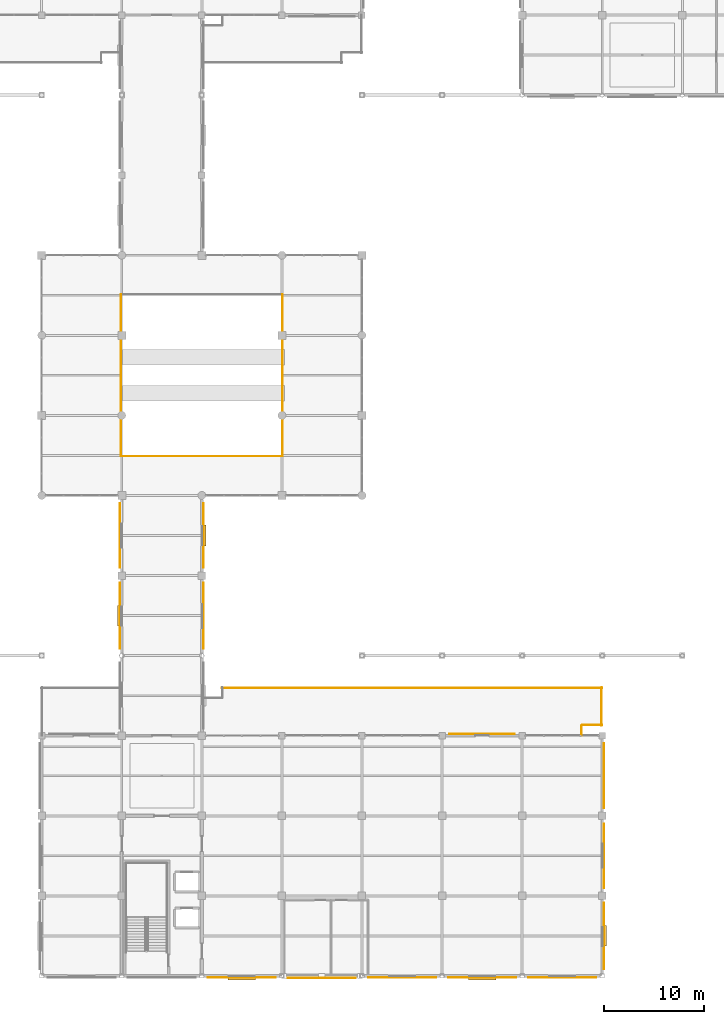
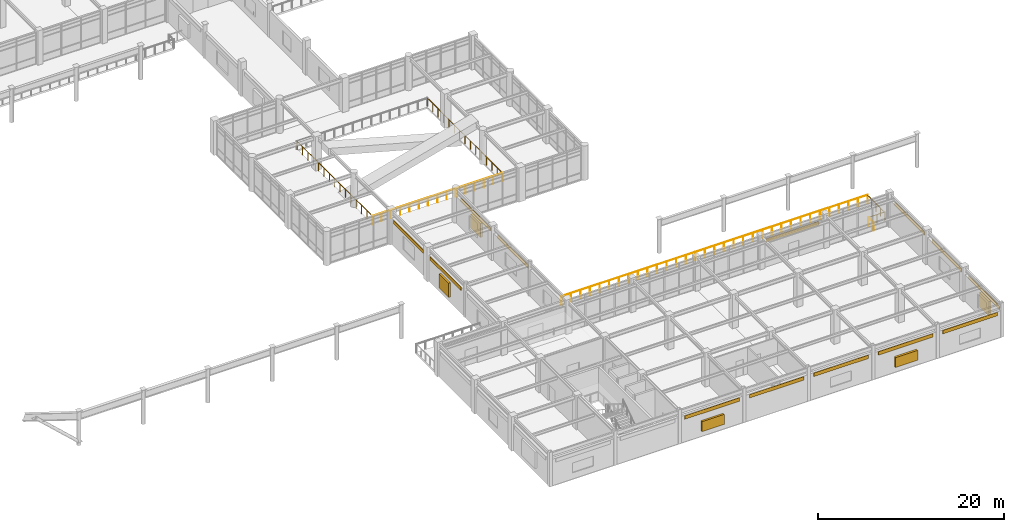
# One storey, part 73 of 78: 13 coverings, 7 railings, 5 shading devices.
"""IFC4 building model written with IfcOpenShell, lengths in metres."""

from ifc_helpers import new_model, si_unit, direction, frame, origin, origin_2d, place, context, subcontext, project, spatial, rectangle, circle, extrude, material, layer, layer_set, type_object, element, save


model = new_model("IFC4")

# Units and contexts
model_context = context("Model", 3, precision=1e-05, world=origin(), true_north=direction((0.0, 1.0)))
body_context = subcontext(model_context, "Body", "Model", "MODEL_VIEW")
ifc_project = project(units=[si_unit("LENGTHUNIT", "METRE"), si_unit("AREAUNIT", "SQUARE_METRE"), si_unit("VOLUMEUNIT", "CUBIC_METRE"), si_unit("PLANEANGLEUNIT", "RADIAN"), si_unit("MASSUNIT", "GRAM", prefix="KILO")], contexts=[model_context])

# Site, building, storey
site_placement = place(None, origin())
site = spatial("IfcSite", under=ifc_project, at=site_placement, CompositionType="ELEMENT")
building_placement = place(site_placement, origin())
building = spatial("IfcBuilding", under=site, at=building_placement, Name="Solmirada Galleria", CompositionType="ELEMENT")
storey_placement = place(building_placement, frame((0.0, 0.0, 23.89990234375)))
storey = spatial("IfcBuildingStorey", under=building, at=storey_placement, Name="L05", CompositionType="ELEMENT", Elevation=23.89990234375)

# Coverings
ifc_material_1 = material(Name="Limestone cladding panels", Category="masonry")
ifc_layer_1 = layer(ifc_material_1, 0.044921875)
ifc_layer_set_1 = layer_set([ifc_layer_1], Name="Limestone cladding panels")
covering_type_1 = type_object("IfcCoveringType", Name="COV-CLAD-LIME", PredefinedType="CLADDING", material=ifc_layer_set_1)
for number, where, z_axis, x_axis, name in (
    (1, (87.83251953125, 36.0, 2.990234375), (0.0, 0.0, 1.0), (0.0, 1.0, 0.0), "Postmodern facade cladding L05-310"),
    (2, (96.16748046875, 36.0, 2.990234375), (0.0, 0.0, 1.0), (0.0, -1.0, 0.0), "Postmodern facade cladding L05-336"),
):
    element("IfcCovering", number, at=place(storey_placement, frame(where, z_axis=z_axis, x_axis=x_axis)), inside=storey, type_object=covering_type_1, Name=name, PredefinedType="CLADDING", context=body_context, shape_type="SweptSolid", body=[
        extrude(rectangle(XDim=6.596435546875, YDim=0.044921875, at=origin_2d()), origin(), (0.0, 0.0, 1.0), 0.4599609375),
    ])
covering_1_placement = place(storey_placement, frame((136.16748046875, 12.0, 2.990234375), z_axis=(0.0, 0.0, 1.0), x_axis=(0.0, -1.0, 0.0)))
element("IfcCovering", 3, at=covering_1_placement, inside=storey, type_object=covering_type_1, Name="Postmodern facade cladding L05-340", PredefinedType="CLADDING", context=body_context, shape_type="SweptSolid", body=[
    extrude(rectangle(XDim=6.449951171875, YDim=0.044921875, at=origin_2d()), origin(), (0.0, 0.0, 1.0), 0.4599609375),
])
for number, where, z_axis, x_axis, name in (
    (4, (132.0, -0.16748046875, 2.990234375), (0.0, 0.0, 1.0), (-1.0, 0.0, 0.0), "Postmodern facade cladding L05-342"),
    (5, (116.0, -0.16748046875, 2.990234375), (0.0, 0.0, 1.0), (-1.0, 0.0, 0.0), "Postmodern facade cladding L05-344"),
    (6, (100.0, -0.16748046875, 2.990234375), (0.0, 0.0, 1.0), (-1.0, 0.0, 0.0), "Postmodern facade cladding L05-346"),
):
    element("IfcCovering", number, at=place(storey_placement, frame(where, z_axis=z_axis, x_axis=x_axis)), inside=storey, type_object=covering_type_1, Name=name, PredefinedType="CLADDING", context=body_context, shape_type="SweptSolid", body=[
        extrude(rectangle(XDim=6.7939453125, YDim=0.044921875, at=origin_2d()), origin(), (0.0, 0.0, 1.0), 0.4599609375),
    ])
ifc_material_2 = material(Name="Glazed terracotta facade panels", Category="masonry")
ifc_layer_2 = layer(ifc_material_2, 0.0400390625)
ifc_layer_set_2 = layer_set([ifc_layer_2], Name="Glazed terracotta facade panels")
covering_type_2 = type_object("IfcCoveringType", Name="COV-CLAD-TERRA", PredefinedType="CLADDING", material=ifc_layer_set_2)
for number, where, z_axis, x_axis, name in (
    (7, (87.8349609375, 44.0, 2.990234375), (0.0, 0.0, 1.0), (0.0, 1.0, 0.0), "Postmodern facade cladding L05-311"),
    (8, (96.1650390625, 44.0, 2.990234375), (0.0, 0.0, 1.0), (0.0, -1.0, 0.0), "Postmodern facade cladding L05-335"),
):
    element("IfcCovering", number, at=place(storey_placement, frame(where, z_axis=z_axis, x_axis=x_axis)), inside=storey, type_object=covering_type_2, Name=name, PredefinedType="CLADDING", context=body_context, shape_type="SweptSolid", body=[
        extrude(rectangle(XDim=6.425048828125, YDim=0.0400390625, at=origin_2d()), origin(), (0.0, 0.0, 1.0), 0.4599609375),
    ])
covering_2_placement = place(storey_placement, frame((124.0, 24.1650390625, 2.990234375), z_axis=(0.0, 0.0, 1.0), x_axis=(1.0, 0.0, 0.0)))
element("IfcCovering", 9, at=covering_2_placement, inside=storey, type_object=covering_type_2, Name="Postmodern facade cladding L05-338", PredefinedType="CLADDING", context=body_context, shape_type="SweptSolid", body=[
    extrude(rectangle(XDim=6.550048828125, YDim=0.0400390625, at=origin_2d()), origin(), (0.0, 0.0, 1.0), 0.4599609375),
])
covering_3_placement = place(storey_placement, frame((136.1650390625, 20.0, 2.990234375), z_axis=(0.0, 0.0, 1.0), x_axis=(0.0, -1.0, 0.0)))
element("IfcCovering", 10, at=covering_3_placement, inside=storey, type_object=covering_type_2, Name="Postmodern facade cladding L05-339", PredefinedType="CLADDING", context=body_context, shape_type="SweptSolid", body=[
    extrude(rectangle(XDim=6.5, YDim=0.0400390625, at=origin_2d()), origin(), (0.0, 0.0, 1.0), 0.4599609375),
])
covering_4_placement = place(storey_placement, frame((136.1650390625, 4.0, 2.990234375), z_axis=(0.0, 0.0, 1.0), x_axis=(0.0, -1.0, 0.0)))
element("IfcCovering", 11, at=covering_4_placement, inside=storey, type_object=covering_type_2, Name="Postmodern facade cladding L05-341", PredefinedType="CLADDING", context=body_context, shape_type="SweptSolid", body=[
    extrude(rectangle(XDim=6.6220703125, YDim=0.0400390625, at=origin_2d()), origin(), (0.0, 0.0, 1.0), 0.4599609375),
])
for number, where, z_axis, x_axis, name in (
    (12, (124.0, -0.1650390625, 2.990234375), (0.0, 0.0, 1.0), (-1.0, 0.0, 0.0), "Postmodern facade cladding L05-343"),
    (13, (108.0, -0.199951171875, 2.990234375), (0.0, 0.0, 1.0), (-1.0, 0.0, 0.0), "Postmodern facade cladding L05-345"),
):
    element("IfcCovering", number, at=place(storey_placement, frame(where, z_axis=z_axis, x_axis=x_axis)), inside=storey, type_object=covering_type_2, Name=name, PredefinedType="CLADDING", context=body_context, shape_type="SweptSolid", body=[
        extrude(rectangle(XDim=6.7939453125, YDim=0.0400390625, at=origin_2d()), origin(), (0.0, 0.0, 1.0), 0.4599609375),
    ])

# Railings
ifc_material_3 = material(Name="Tempered laminated glass and stainless-steel balustrade", Category="steel")
railing_type_1 = type_object("IfcRailingType", Name="RAIL-ATRIUM-BAL", PredefinedType="BALUSTRADE", material=ifc_material_3)
railing_1_placement = place(storey_placement, frame((87.919921875, 51.919921875, 0.0)))
element("IfcRailing", 14, at=railing_1_placement, inside=storey, type_object=railing_type_1, Name="Void balustrade ATRIUM L05-W1", PredefinedType="BALUSTRADE", context=body_context, shape_type="SweptSolid", body=[
    extrude(circle(Radius=0.02392578125, at=origin_2d()), frame((0.0, 0.0, 1.09619140625), z_axis=(0.0, 1.0, 0.0), x_axis=(-1.0, 0.0, 0.0)), (0.0, 0.0, 1.0), 16.16015625),
    extrude(circle(Radius=0.02099609375, at=origin_2d()), origin(), (0.0, 0.0, 1.0), 1.068115234375),
    extrude(circle(Radius=0.02099609375, at=origin_2d()), frame((0.0, 1.154296875, 0.0)), (0.0, 0.0, 1.0), 1.068115234375),
    extrude(circle(Radius=0.02099609375, at=origin_2d()), frame((0.0, 2.30859375, 0.0)), (0.0, 0.0, 1.0), 1.068115234375),
    extrude(circle(Radius=0.02099609375, at=origin_2d()), frame((0.0, 3.462890625, 0.0)), (0.0, 0.0, 1.0), 1.068115234375),
    extrude(circle(Radius=0.02099609375, at=origin_2d()), frame((0.0, 4.6171875, 0.0)), (0.0, 0.0, 1.0), 1.068115234375),
    extrude(circle(Radius=0.02099609375, at=origin_2d()), frame((0.0, 5.771484375, 0.0)), (0.0, 0.0, 1.0), 1.068115234375),
    extrude(circle(Radius=0.02099609375, at=origin_2d()), frame((0.0, 6.92578125, 0.0)), (0.0, 0.0, 1.0), 1.068115234375),
    extrude(circle(Radius=0.02099609375, at=origin_2d()), frame((0.0, 8.080078125, 0.0)), (0.0, 0.0, 1.0), 1.068115234375),
    extrude(circle(Radius=0.02099609375, at=origin_2d()), frame((0.0, 9.234375, 0.0)), (0.0, 0.0, 1.0), 1.068115234375),
    extrude(circle(Radius=0.02099609375, at=origin_2d()), frame((0.0, 10.388671875, 0.0)), (0.0, 0.0, 1.0), 1.068115234375),
    extrude(circle(Radius=0.02099609375, at=origin_2d()), frame((0.0, 11.54296875, 0.0)), (0.0, 0.0, 1.0), 1.068115234375),
    extrude(circle(Radius=0.02099609375, at=origin_2d()), frame((0.0, 12.697265625, 0.0)), (0.0, 0.0, 1.0), 1.068115234375),
    extrude(circle(Radius=0.02099609375, at=origin_2d()), frame((0.0, 13.8515625, 0.0)), (0.0, 0.0, 1.0), 1.068115234375),
    extrude(circle(Radius=0.02099609375, at=origin_2d()), frame((0.0, 15.005859375, 0.0)), (0.0, 0.0, 1.0), 1.068115234375),
    extrude(circle(Radius=0.02099609375, at=origin_2d()), frame((0.0, 16.16015625, 0.0)), (0.0, 0.0, 1.0), 1.068115234375),
])
railing_2_placement = place(storey_placement, frame((104.080078125, 51.919921875, 0.0)))
element("IfcRailing", 15, at=railing_2_placement, inside=storey, type_object=railing_type_1, Name="Void balustrade ATRIUM L05-E1", PredefinedType="BALUSTRADE", context=body_context, shape_type="SweptSolid", body=[
    extrude(circle(Radius=0.02392578125, at=origin_2d()), frame((0.0, 0.0, 1.09619140625), z_axis=(0.0, 1.0, 0.0), x_axis=(-1.0, 0.0, 0.0)), (0.0, 0.0, 1.0), 16.16015625),
    extrude(circle(Radius=0.02099609375, at=origin_2d()), origin(), (0.0, 0.0, 1.0), 1.068115234375),
    extrude(circle(Radius=0.02099609375, at=origin_2d()), frame((0.0, 1.154296875, 0.0)), (0.0, 0.0, 1.0), 1.068115234375),
    extrude(circle(Radius=0.02099609375, at=origin_2d()), frame((0.0, 2.30859375, 0.0)), (0.0, 0.0, 1.0), 1.068115234375),
    extrude(circle(Radius=0.02099609375, at=origin_2d()), frame((0.0, 3.462890625, 0.0)), (0.0, 0.0, 1.0), 1.068115234375),
    extrude(circle(Radius=0.02099609375, at=origin_2d()), frame((0.0, 4.6171875, 0.0)), (0.0, 0.0, 1.0), 1.068115234375),
    extrude(circle(Radius=0.02099609375, at=origin_2d()), frame((0.0, 5.771484375, 0.0)), (0.0, 0.0, 1.0), 1.068115234375),
    extrude(circle(Radius=0.02099609375, at=origin_2d()), frame((0.0, 6.92578125, 0.0)), (0.0, 0.0, 1.0), 1.068115234375),
    extrude(circle(Radius=0.02099609375, at=origin_2d()), frame((0.0, 8.080078125, 0.0)), (0.0, 0.0, 1.0), 1.068115234375),
    extrude(circle(Radius=0.02099609375, at=origin_2d()), frame((0.0, 9.234375, 0.0)), (0.0, 0.0, 1.0), 1.068115234375),
    extrude(circle(Radius=0.02099609375, at=origin_2d()), frame((0.0, 10.388671875, 0.0)), (0.0, 0.0, 1.0), 1.068115234375),
    extrude(circle(Radius=0.02099609375, at=origin_2d()), frame((0.0, 11.54296875, 0.0)), (0.0, 0.0, 1.0), 1.068115234375),
    extrude(circle(Radius=0.02099609375, at=origin_2d()), frame((0.0, 12.697265625, 0.0)), (0.0, 0.0, 1.0), 1.068115234375),
    extrude(circle(Radius=0.02099609375, at=origin_2d()), frame((0.0, 13.8515625, 0.0)), (0.0, 0.0, 1.0), 1.068115234375),
    extrude(circle(Radius=0.02099609375, at=origin_2d()), frame((0.0, 15.005859375, 0.0)), (0.0, 0.0, 1.0), 1.068115234375),
    extrude(circle(Radius=0.02099609375, at=origin_2d()), frame((0.0, 16.16015625, 0.0)), (0.0, 0.0, 1.0), 1.068115234375),
])
railing_3_placement = place(storey_placement, frame((87.919921875, 51.919921875, 0.0)))
element("IfcRailing", 16, at=railing_3_placement, inside=storey, type_object=railing_type_1, Name="Void balustrade ATRIUM L05-S", PredefinedType="BALUSTRADE", context=body_context, shape_type="SweptSolid", body=[
    extrude(circle(Radius=0.02392578125, at=origin_2d()), frame((0.0, 0.0, 1.09619140625), z_axis=(1.0, 0.0, 0.0), x_axis=(0.0, 1.0, 0.0)), (0.0, 0.0, 1.0), 16.16015625),
    extrude(circle(Radius=0.02099609375, at=origin_2d()), origin(), (0.0, 0.0, 1.0), 1.068115234375),
    extrude(circle(Radius=0.02099609375, at=origin_2d()), frame((1.154296875, 0.0, 0.0)), (0.0, 0.0, 1.0), 1.068115234375),
    extrude(circle(Radius=0.02099609375, at=origin_2d()), frame((2.30859375, 0.0, 0.0)), (0.0, 0.0, 1.0), 1.068115234375),
    extrude(circle(Radius=0.02099609375, at=origin_2d()), frame((3.462890625, 0.0, 0.0)), (0.0, 0.0, 1.0), 1.068115234375),
    extrude(circle(Radius=0.02099609375, at=origin_2d()), frame((4.6171875, 0.0, 0.0)), (0.0, 0.0, 1.0), 1.068115234375),
    extrude(circle(Radius=0.02099609375, at=origin_2d()), frame((5.771484375, 0.0, 0.0)), (0.0, 0.0, 1.0), 1.068115234375),
    extrude(circle(Radius=0.02099609375, at=origin_2d()), frame((6.92578125, 0.0, 0.0)), (0.0, 0.0, 1.0), 1.068115234375),
    extrude(circle(Radius=0.02099609375, at=origin_2d()), frame((8.080078125, 0.0, 0.0)), (0.0, 0.0, 1.0), 1.068115234375),
    extrude(circle(Radius=0.02099609375, at=origin_2d()), frame((9.234375, 0.0, 0.0)), (0.0, 0.0, 1.0), 1.068115234375),
    extrude(circle(Radius=0.02099609375, at=origin_2d()), frame((10.388671875, 0.0, 0.0)), (0.0, 0.0, 1.0), 1.068115234375),
    extrude(circle(Radius=0.02099609375, at=origin_2d()), frame((11.54296875, 0.0, 0.0)), (0.0, 0.0, 1.0), 1.068115234375),
    extrude(circle(Radius=0.02099609375, at=origin_2d()), frame((12.697265625, 0.0, 0.0)), (0.0, 0.0, 1.0), 1.068115234375),
    extrude(circle(Radius=0.02099609375, at=origin_2d()), frame((13.8515625, 0.0, 0.0)), (0.0, 0.0, 1.0), 1.068115234375),
    extrude(circle(Radius=0.02099609375, at=origin_2d()), frame((15.005859375, 0.0, 0.0)), (0.0, 0.0, 1.0), 1.068115234375),
    extrude(circle(Radius=0.02099609375, at=origin_2d()), frame((16.16015625, 0.0, 0.0)), (0.0, 0.0, 1.0), 1.068115234375),
])
ifc_material_4 = material(Name="Painted galvanized steel balustrade", Category="steel")
railing_type_2 = type_object("IfcRailingType", Name="RAIL-TERR-1100", PredefinedType="GUARDRAIL", material=ifc_material_4)
railing_4_placement = place(storey_placement, frame((133.949951171875, 24.0, 0.0)))
element("IfcRailing", 17, at=railing_4_placement, inside=storey, type_object=railing_type_2, Name="Terrace guardrail L05-TERR-SE E2.1", PredefinedType="GUARDRAIL", context=body_context, shape_type="SweptSolid", body=[
    extrude(circle(Radius=0.02392578125, at=origin_2d()), frame((0.0, 0.0, 1.09619140625), z_axis=(0.0, 1.0, 0.0), x_axis=(-1.0, 0.0, 0.0)), (0.0, 0.0, 1.0), 1.0),
    extrude(circle(Radius=0.02099609375, at=origin_2d()), origin(), (0.0, 0.0, 1.0), 1.068115234375),
    extrude(circle(Radius=0.02099609375, at=origin_2d()), frame((0.0, 1.0, 0.0)), (0.0, 0.0, 1.0), 1.068115234375),
])
railing_5_placement = place(storey_placement, frame((134.0, 25.050048828125, 0.0)))
element("IfcRailing", 18, at=railing_5_placement, inside=storey, type_object=railing_type_2, Name="Terrace guardrail L05-TERR-SE E3.1", PredefinedType="GUARDRAIL", context=body_context, shape_type="SweptSolid", body=[
    extrude(circle(Radius=0.02392578125, at=origin_2d()), frame((0.0, 0.0, 1.09619140625), z_axis=(1.0, 0.0, 0.0), x_axis=(0.0, 1.0, 0.0)), (0.0, 0.0, 1.0), 2.0),
    extrude(circle(Radius=0.02099609375, at=origin_2d()), origin(), (0.0, 0.0, 1.0), 1.068115234375),
    extrude(circle(Radius=0.02099609375, at=origin_2d()), frame((1.0, 0.0, 0.0)), (0.0, 0.0, 1.0), 1.068115234375),
    extrude(circle(Radius=0.02099609375, at=origin_2d()), frame((2.0, 0.0, 0.0)), (0.0, 0.0, 1.0), 1.068115234375),
])
railing_6_placement = place(storey_placement, frame((135.949951171875, 25.0, 0.0)))
element("IfcRailing", 19, at=railing_6_placement, inside=storey, type_object=railing_type_2, Name="Terrace guardrail L05-TERR-SE E4.1", PredefinedType="GUARDRAIL", context=body_context, shape_type="SweptSolid", body=[
    extrude(circle(Radius=0.02392578125, at=origin_2d()), frame((0.0, 0.0, 1.09619140625), z_axis=(0.0, 1.0, 0.0), x_axis=(-1.0, 0.0, 0.0)), (0.0, 0.0, 1.0), 3.800048828125),
    extrude(circle(Radius=0.02099609375, at=origin_2d()), origin(), (0.0, 0.0, 1.0), 1.068115234375),
    extrude(circle(Radius=0.02099609375, at=origin_2d()), frame((0.0, 0.949951171875, 0.0)), (0.0, 0.0, 1.0), 1.068115234375),
    extrude(circle(Radius=0.02099609375, at=origin_2d()), frame((0.0, 1.89990234375, 0.0)), (0.0, 0.0, 1.0), 1.068115234375),
    extrude(circle(Radius=0.02099609375, at=origin_2d()), frame((0.0, 2.85009765625, 0.0)), (0.0, 0.0, 1.0), 1.068115234375),
    extrude(circle(Radius=0.02099609375, at=origin_2d()), frame((0.0, 3.800048828125, 0.0)), (0.0, 0.0, 1.0), 1.068115234375),
])
railing_7_placement = place(storey_placement, frame((136.0, 28.75, 0.0)))
element("IfcRailing", 20, at=railing_7_placement, inside=storey, type_object=railing_type_2, Name="Terrace guardrail L05-TERR-SE E5.1", PredefinedType="GUARDRAIL", context=body_context, shape_type="SweptSolid", body=[
    extrude(circle(Radius=0.02392578125, at=origin_2d()), frame((0.0, 0.0, 1.09619140625), z_axis=(-1.0, 0.0, 0.0), x_axis=(0.0, -1.0, 0.0)), (0.0, 0.0, 1.0), 38.0),
    extrude(circle(Radius=0.02099609375, at=origin_2d()), origin(), (0.0, 0.0, 1.0), 1.068115234375),
    extrude(circle(Radius=0.02099609375, at=origin_2d()), frame((-1.1875, 0.0, 0.0)), (0.0, 0.0, 1.0), 1.068115234375),
    extrude(circle(Radius=0.02099609375, at=origin_2d()), frame((-2.375, 0.0, 0.0)), (0.0, 0.0, 1.0), 1.068115234375),
    extrude(circle(Radius=0.02099609375, at=origin_2d()), frame((-3.5625, 0.0, 0.0)), (0.0, 0.0, 1.0), 1.068115234375),
    extrude(circle(Radius=0.02099609375, at=origin_2d()), frame((-4.75, 0.0, 0.0)), (0.0, 0.0, 1.0), 1.068115234375),
    extrude(circle(Radius=0.02099609375, at=origin_2d()), frame((-5.9375, 0.0, 0.0)), (0.0, 0.0, 1.0), 1.068115234375),
    extrude(circle(Radius=0.02099609375, at=origin_2d()), frame((-7.125, 0.0, 0.0)), (0.0, 0.0, 1.0), 1.068115234375),
    extrude(circle(Radius=0.02099609375, at=origin_2d()), frame((-8.3125, 0.0, 0.0)), (0.0, 0.0, 1.0), 1.068115234375),
    extrude(circle(Radius=0.02099609375, at=origin_2d()), frame((-9.5, 0.0, 0.0)), (0.0, 0.0, 1.0), 1.068115234375),
    extrude(circle(Radius=0.02099609375, at=origin_2d()), frame((-10.6875, 0.0, 0.0)), (0.0, 0.0, 1.0), 1.068115234375),
    extrude(circle(Radius=0.02099609375, at=origin_2d()), frame((-11.875, 0.0, 0.0)), (0.0, 0.0, 1.0), 1.068115234375),
    extrude(circle(Radius=0.02099609375, at=origin_2d()), frame((-13.0625, 0.0, 0.0)), (0.0, 0.0, 1.0), 1.068115234375),
    extrude(circle(Radius=0.02099609375, at=origin_2d()), frame((-14.25, 0.0, 0.0)), (0.0, 0.0, 1.0), 1.068115234375),
    extrude(circle(Radius=0.02099609375, at=origin_2d()), frame((-15.4375, 0.0, 0.0)), (0.0, 0.0, 1.0), 1.068115234375),
    extrude(circle(Radius=0.02099609375, at=origin_2d()), frame((-16.625, 0.0, 0.0)), (0.0, 0.0, 1.0), 1.068115234375),
    extrude(circle(Radius=0.02099609375, at=origin_2d()), frame((-17.8125, 0.0, 0.0)), (0.0, 0.0, 1.0), 1.068115234375),
    extrude(circle(Radius=0.02099609375, at=origin_2d()), frame((-19.0, 0.0, 0.0)), (0.0, 0.0, 1.0), 1.068115234375),
    extrude(circle(Radius=0.02099609375, at=origin_2d()), frame((-20.1875, 0.0, 0.0)), (0.0, 0.0, 1.0), 1.068115234375),
    extrude(circle(Radius=0.02099609375, at=origin_2d()), frame((-21.375, 0.0, 0.0)), (0.0, 0.0, 1.0), 1.068115234375),
    extrude(circle(Radius=0.02099609375, at=origin_2d()), frame((-22.5625, 0.0, 0.0)), (0.0, 0.0, 1.0), 1.068115234375),
    extrude(circle(Radius=0.02099609375, at=origin_2d()), frame((-23.75, 0.0, 0.0)), (0.0, 0.0, 1.0), 1.068115234375),
    extrude(circle(Radius=0.02099609375, at=origin_2d()), frame((-24.9375, 0.0, 0.0)), (0.0, 0.0, 1.0), 1.068115234375),
    extrude(circle(Radius=0.02099609375, at=origin_2d()), frame((-26.125, 0.0, 0.0)), (0.0, 0.0, 1.0), 1.068115234375),
    extrude(circle(Radius=0.02099609375, at=origin_2d()), frame((-27.3125, 0.0, 0.0)), (0.0, 0.0, 1.0), 1.068115234375),
    extrude(circle(Radius=0.02099609375, at=origin_2d()), frame((-28.5, 0.0, 0.0)), (0.0, 0.0, 1.0), 1.068115234375),
    extrude(circle(Radius=0.02099609375, at=origin_2d()), frame((-29.6875, 0.0, 0.0)), (0.0, 0.0, 1.0), 1.068115234375),
    extrude(circle(Radius=0.02099609375, at=origin_2d()), frame((-30.875, 0.0, 0.0)), (0.0, 0.0, 1.0), 1.068115234375),
    extrude(circle(Radius=0.02099609375, at=origin_2d()), frame((-32.0625, 0.0, 0.0)), (0.0, 0.0, 1.0), 1.068115234375),
    extrude(circle(Radius=0.02099609375, at=origin_2d()), frame((-33.25, 0.0, 0.0)), (0.0, 0.0, 1.0), 1.068115234375),
    extrude(circle(Radius=0.02099609375, at=origin_2d()), frame((-34.4375, 0.0, 0.0)), (0.0, 0.0, 1.0), 1.068115234375),
    extrude(circle(Radius=0.02099609375, at=origin_2d()), frame((-35.625, 0.0, 0.0)), (0.0, 0.0, 1.0), 1.068115234375),
    extrude(circle(Radius=0.02099609375, at=origin_2d()), frame((-36.8125, 0.0, 0.0)), (0.0, 0.0, 1.0), 1.068115234375),
    extrude(circle(Radius=0.02099609375, at=origin_2d()), frame((-38.0, 0.0, 0.0)), (0.0, 0.0, 1.0), 1.068115234375),
])

# Shading devices
ifc_material_5 = material(Name="Extruded aluminium storm louvres", Category="aluminium")
shading_device_type = type_object("IfcShadingDeviceType", Name="SHD-JALOUSIE", PredefinedType="JALOUSIE", material=ifc_material_5)
for number, where, z_axis, x_axis, name in (
    (21, (87.72509765625, 36.0, 0.800048828125), (0.0, 0.0, 1.0), (0.0, 1.0, 0.0), "Hurricane storm jalousie louvre 091"),
    (22, (96.27490234375, 44.0, 0.800048828125), (0.0, 0.0, 1.0), (0.0, -1.0, 0.0), "Hurricane storm jalousie louvre 096"),
    (23, (136.27490234375, 4.0, 0.800048828125), (0.0, 0.0, 1.0), (0.0, -1.0, 0.0), "Hurricane storm jalousie louvre 098"),
):
    element("IfcShadingDevice", number, at=place(storey_placement, frame(where, z_axis=z_axis, x_axis=x_axis)), inside=storey, type_object=shading_device_type, Name=name, PredefinedType="JALOUSIE", context=body_context, shape_type="SweptSolid", body=[
        extrude(rectangle(XDim=2.06005859375, YDim=0.260009765625, at=origin_2d()), origin(), (0.0, 0.0, 1.0), 1.85009765625),
    ])
for number, where, z_axis, x_axis, name in (
    (24, (124.0, -0.27490234375, 0.80029296875), (0.0, 0.0, 1.0), (-1.0, 0.0, 0.0), "Hurricane storm jalousie louvre 099"),
    (25, (100.0, -0.27490234375, 0.80029296875), (0.0, 0.0, 1.0), (-1.0, 0.0, 0.0), "Hurricane storm jalousie louvre 100"),
):
    element("IfcShadingDevice", number, at=place(storey_placement, frame(where, z_axis=z_axis, x_axis=x_axis)), inside=storey, type_object=shading_device_type, Name=name, PredefinedType="JALOUSIE", context=body_context, shape_type="SweptSolid", body=[
        extrude(rectangle(XDim=2.760009765625, YDim=0.260009765625, at=origin_2d()), origin(), (0.0, 0.0, 1.0), 1.300048828125),
    ])

save(model, "model.ifc")
